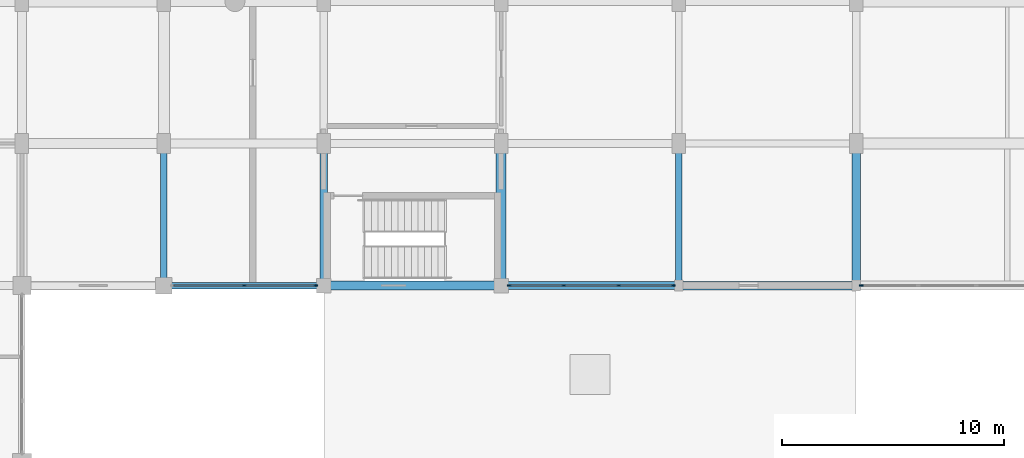
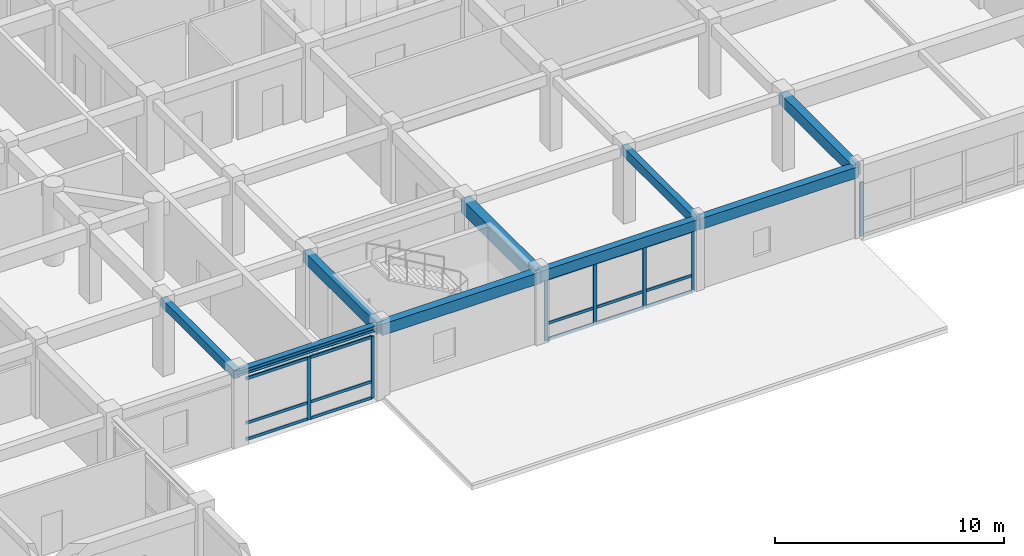
# One storey, part 10 of 35: 22 members, 9 beams, 3 elements without a shape of their own.
"""IFC4 building model written with IfcOpenShell, lengths in metres."""

from ifc_helpers import new_model, si_unit, direction, frame, origin, origin_2d, place, context, subcontext, project, spatial, rectangle, i_section, extrude, material, material_profile, profile_set, type_object, element, aggregate, save


model = new_model("IFC4")

# Units and contexts
model_context = context("Model", 3, precision=1e-05, world=origin(), true_north=direction((0.0, 1.0)))
body_context = subcontext(model_context, "Body", "Model", "MODEL_VIEW")
ifc_project = project(units=[si_unit("LENGTHUNIT", "METRE"), si_unit("AREAUNIT", "SQUARE_METRE"), si_unit("VOLUMEUNIT", "CUBIC_METRE"), si_unit("PLANEANGLEUNIT", "RADIAN"), si_unit("MASSUNIT", "GRAM", prefix="KILO")], contexts=[model_context])

# Site, building, storey
site_placement = place(None, origin())
site = spatial("IfcSite", under=ifc_project, at=site_placement, CompositionType="ELEMENT")
building_placement = place(site_placement, origin())
building = spatial("IfcBuilding", under=site, at=building_placement, Name="Vellmiral Cinema and Media Centre", CompositionType="ELEMENT")
storey_placement = place(building_placement, frame((0.0, 0.0, 15.60009765625)))
storey = spatial("IfcBuildingStorey", under=building, at=storey_placement, Name="L03", CompositionType="ELEMENT", Elevation=15.60009765625)

# Beams
ifc_material_1 = material(Name="Concrete C40/50", Category="concrete")
ifc_material_profile_1 = material_profile(ifc_material_1, rectangle(XDim=0.300048828125, YDim=0.449951171875, at=origin_2d()), Name="RC 300x450")
ifc_profile_set_1 = profile_set([ifc_material_profile_1], Name="Concrete C40/50")
beam_type_1 = type_object("IfcBeamType", Name="BM-RC-300x450", PredefinedType="BEAM", material=ifc_profile_set_1)
beam_1_placement = place(storey_placement, frame((116.800048828125, 59.199951171875, 3.669921875), z_axis=(0.0, 1.0, 0.0), x_axis=(-1.0, 0.0, 0.0)))
element("IfcBeam", 1, at=beam_1_placement, inside=storey, type_object=beam_type_1, Name="Grid Beam L03-Y104", PredefinedType="BEAM", context=body_context, shape_type="SweptSolid", body=[
    extrude(rectangle(XDim=0.300048828125, YDim=0.449951171875, at=origin_2d()), origin(), (0.0, 0.0, 1.0), 6.400146484375),
])
ifc_material_2 = material(Name="Concrete C40/50", Category="concrete")
ifc_material_profile_2 = material_profile(ifc_material_2, rectangle(XDim=0.300048828125, YDim=0.5, at=origin_2d()), Name="RC 300x500")
ifc_profile_set_2 = profile_set([ifc_material_profile_2], Name="Concrete C40/50")
beam_type_2 = type_object("IfcBeamType", Name="BM-RC-300x500", PredefinedType="BEAM", material=ifc_profile_set_2)
beam_2_placement = place(storey_placement, frame((140.0, 59.199951171875, 3.64501953125), z_axis=(0.0, 1.0, 0.0), x_axis=(-1.0, 0.0, 0.0)))
element("IfcBeam", 2, at=beam_2_placement, inside=storey, type_object=beam_type_2, Name="Grid Beam L03-Y125", PredefinedType="BEAM", context=body_context, shape_type="SweptSolid", body=[
    extrude(rectangle(XDim=0.300048828125, YDim=0.5, at=origin_2d()), origin(), (0.0, 0.0, 1.0), 6.400146484375),
])
ifc_material_3 = material(Name="Concrete C40/50", Category="concrete")
ifc_material_profile_3 = material_profile(ifc_material_3, rectangle(XDim=0.35009765625, YDim=0.60009765625, at=origin_2d()), Name="RC 350x600")
ifc_profile_set_3 = profile_set([ifc_material_profile_3], Name="Concrete C40/50")
beam_type_3 = type_object("IfcBeamType", Name="BM-RC-350x600", PredefinedType="BEAM", material=ifc_profile_set_3)
beam_3_placement = place(storey_placement, frame((124.0, 59.199951171875, 3.594970703125), z_axis=(0.0, 1.0, 0.0), x_axis=(-1.0, 0.0, 0.0)))
element("IfcBeam", 3, at=beam_3_placement, inside=storey, type_object=beam_type_3, Name="Grid Beam L03-Y111", PredefinedType="BEAM", context=body_context, shape_type="SweptSolid", body=[
    extrude(rectangle(XDim=0.35009765625, YDim=0.60009765625, at=origin_2d()), origin(), (0.0, 0.0, 1.0), 6.400146484375),
])
ifc_material_4 = material(Name="Concrete C40/50", Category="concrete")
ifc_material_profile_4 = material_profile(ifc_material_4, rectangle(XDim=0.39990234375, YDim=0.60009765625, at=origin_2d()), Name="RC 400x600")
ifc_profile_set_4 = profile_set([ifc_material_profile_4], Name="Concrete C40/50")
beam_type_4 = type_object("IfcBeamType", Name="BM-RC-400x600", PredefinedType="BEAM", material=ifc_profile_set_4)
beam_4_placement = place(storey_placement, frame((148.0, 59.199951171875, 3.594970703125), z_axis=(0.0, 1.0, 0.0), x_axis=(-1.0, 0.0, 0.0)))
element("IfcBeam", 4, at=beam_4_placement, inside=storey, type_object=beam_type_4, Name="Grid Beam L03-Y132", PredefinedType="BEAM", context=body_context, shape_type="SweptSolid", body=[
    extrude(rectangle(XDim=0.39990234375, YDim=0.60009765625, at=origin_2d()), origin(), (0.0, 0.0, 1.0), 6.400146484375),
])
ifc_material_5 = material(Name="Concrete C40/50", Category="concrete")
ifc_material_profile_5 = material_profile(ifc_material_5, rectangle(XDim=0.449951171875, YDim=0.75, at=origin_2d()), Name="RC 450x750")
ifc_profile_set_5 = profile_set([ifc_material_profile_5], Name="Concrete C40/50")
beam_type_5 = type_object("IfcBeamType", Name="BM-RC-450x750", PredefinedType="BEAM", material=ifc_profile_set_5)
beam_5_placement = place(storey_placement, frame((132.0, 59.199951171875, 3.52001953125), z_axis=(0.0, 1.0, 0.0), x_axis=(-1.0, 0.0, 0.0)))
element("IfcBeam", 5, at=beam_5_placement, inside=storey, type_object=beam_type_5, Name="Grid Beam L03-Y118", PredefinedType="BEAM", context=body_context, shape_type="SweptSolid", body=[
    extrude(rectangle(XDim=0.449951171875, YDim=0.75, at=origin_2d()), origin(), (0.0, 0.0, 1.0), 6.400146484375),
])

# Curtain wall, members
ifc_material_6 = material(Name="Thermally Broken Aluminium and Triple Glazing", Category="aluminium")
curtain_wall_type = type_object("IfcCurtainWallType", Name="CW-POD-GALLERY", PredefinedType="USERDEFINED", material=ifc_material_6)
curtain_wall_1_placement = place(storey_placement, origin())
curtain_wall_1 = element("IfcCurtainWall", 6, at=curtain_wall_1_placement, inside=storey, type_object=curtain_wall_type, Name="Curtain Wall L03-B012", ObjectType="STICK CURTAIN WALL", PredefinedType="USERDEFINED")
ifc_material_7 = material(Name="Thermally Broken Anodised Aluminium", Category="aluminium")
ifc_material_profile_6 = material_profile(ifc_material_7, rectangle(XDim=0.070068359375, YDim=0.179931640625, at=origin_2d()), Name="MULL 70x180")
ifc_profile_set_6 = profile_set([ifc_material_profile_6], Name="Thermally Broken Anodised Aluminium")
member_type_1 = type_object("IfcMemberType", Name="CWM-70x180", PredefinedType="MULLION", material=ifc_profile_set_6)
member_1_placement = place(storey_placement, frame((120.425048828125, 59.199951171875, 0.0), z_axis=(0.0, 0.0, 1.0), x_axis=(0.0, 1.0, 0.0)))
member_1 = element("IfcMember", 7, at=member_1_placement, type_object=member_type_1, Name="CW-04 mullion 2", PredefinedType="MULLION", context=body_context, shape_type="SweptSolid", body=[
    extrude(rectangle(XDim=0.070068359375, YDim=0.179931640625, at=origin_2d()), origin(), (0.0, 0.0, 1.0), 3.2998046875),
])
member_2_placement = place(storey_placement, frame((123.639892578125, 59.199951171875, 0.0), z_axis=(0.0, 0.0, 1.0), x_axis=(0.0, 1.0, 0.0)))
member_2 = element("IfcMember", 8, at=member_2_placement, type_object=member_type_1, Name="CW-04 mullion 3", PredefinedType="MULLION", context=body_context, shape_type="SweptSolid", body=[
    extrude(rectangle(XDim=0.070068359375, YDim=0.179931640625, at=origin_2d()), origin(), (0.0, 0.0, 1.0), 3.2998046875),
])

curtain_wall_2_placement = place(storey_placement, origin())
curtain_wall_2 = element("IfcCurtainWall", 9, at=curtain_wall_2_placement, inside=storey, type_object=curtain_wall_type, Name="Curtain Wall L03-B014", ObjectType="STICK CURTAIN WALL", PredefinedType="USERDEFINED")
member_3_placement = place(storey_placement, frame((132.360107421875, 59.199951171875, 0.0), z_axis=(0.0, 0.0, 1.0), x_axis=(0.0, 1.0, 0.0)))
member_3 = element("IfcMember", 10, at=member_3_placement, type_object=member_type_1, Name="CW-04 mullion 1", PredefinedType="MULLION", context=body_context, shape_type="SweptSolid", body=[
    extrude(rectangle(XDim=0.070068359375, YDim=0.179931640625, at=origin_2d()), origin(), (0.0, 0.0, 1.0), 3.2998046875),
])
member_4_placement = place(storey_placement, frame((134.816650390625, 59.199951171875, 0.0), z_axis=(0.0, 0.0, 1.0), x_axis=(0.0, 1.0, 0.0)))
member_4 = element("IfcMember", 11, at=member_4_placement, type_object=member_type_1, Name="CW-04 mullion 2", PredefinedType="MULLION", context=body_context, shape_type="SweptSolid", body=[
    extrude(rectangle(XDim=0.070068359375, YDim=0.179931640625, at=origin_2d()), origin(), (0.0, 0.0, 1.0), 3.2998046875),
])
member_5_placement = place(storey_placement, frame((137.308349609375, 59.199951171875, 0.0), z_axis=(0.0, 0.0, 1.0), x_axis=(0.0, 1.0, 0.0)))
member_5 = element("IfcMember", 12, at=member_5_placement, type_object=member_type_1, Name="CW-04 mullion 3", PredefinedType="MULLION", context=body_context, shape_type="SweptSolid", body=[
    extrude(rectangle(XDim=0.070068359375, YDim=0.179931640625, at=origin_2d()), origin(), (0.0, 0.0, 1.0), 3.2998046875),
])
member_6_placement = place(storey_placement, frame((139.764892578125, 59.199951171875, 0.0), z_axis=(0.0, 0.0, 1.0), x_axis=(0.0, 1.0, 0.0)))
member_6 = element("IfcMember", 13, at=member_6_placement, type_object=member_type_1, Name="CW-04 mullion 4", PredefinedType="MULLION", context=body_context, shape_type="SweptSolid", body=[
    extrude(rectangle(XDim=0.070068359375, YDim=0.179931640625, at=origin_2d()), origin(), (0.0, 0.0, 1.0), 3.2998046875),
])

# Curtain wall, member
curtain_wall_3_placement = place(storey_placement, origin())
curtain_wall_3 = element("IfcCurtainWall", 14, at=curtain_wall_3_placement, inside=storey, type_object=curtain_wall_type, Name="Curtain Wall L03-B016", ObjectType="STICK CURTAIN WALL", PredefinedType="USERDEFINED")
member_7_placement = place(storey_placement, frame((148.235107421875, 59.199951171875, 0.0), z_axis=(0.0, 0.0, 1.0), x_axis=(0.0, 1.0, 0.0)))
member_7 = element("IfcMember", 15, at=member_7_placement, type_object=member_type_1, Name="CW-04 mullion 1", PredefinedType="MULLION", context=body_context, shape_type="SweptSolid", body=[
    extrude(rectangle(XDim=0.070068359375, YDim=0.179931640625, at=origin_2d()), origin(), (0.0, 0.0, 1.0), 2.885009765625),
])
aggregate(curtain_wall_3, [member_7])

# Member
ifc_material_8 = material(Name="Thermally Broken Anodised Aluminium", Category="aluminium")
ifc_material_profile_7 = material_profile(ifc_material_8, rectangle(XDim=0.070068359375, YDim=0.14990234375, at=origin_2d()), Name="MULL 70x150")
ifc_profile_set_7 = profile_set([ifc_material_profile_7], Name="Thermally Broken Anodised Aluminium")
member_type_2 = type_object("IfcMemberType", Name="CWT-70x150", PredefinedType="USERDEFINED", material=ifc_profile_set_7)
member_8_placement = place(storey_placement, frame((117.2451171875, 59.199951171875, 0.034912109375), z_axis=(1.0, 0.0, 0.0), x_axis=(0.0, 1.0, 0.0)))
member_8 = element("IfcMember", 16, at=member_8_placement, type_object=member_type_2, Name="CW-04 transom 1.1", ObjectType="TRANSOM", PredefinedType="USERDEFINED", context=body_context, shape_type="SweptSolid", body=[
    extrude(rectangle(XDim=0.070068359375, YDim=0.14990234375, at=origin_2d()), origin(), (0.0, 0.0, 1.0), 3.144775390625),
])

member_9_placement = place(storey_placement, frame((117.2451171875, 59.199951171875, 0.89990234375), z_axis=(1.0, 0.0, 0.0), x_axis=(0.0, 1.0, 0.0)))
member_9 = element("IfcMember", 17, at=member_9_placement, type_object=member_type_2, Name="CW-04 transom 1.2", ObjectType="TRANSOM", PredefinedType="USERDEFINED", context=body_context, shape_type="SweptSolid", body=[
    extrude(rectangle(XDim=0.070068359375, YDim=0.14990234375, at=origin_2d()), origin(), (0.0, 0.0, 1.0), 3.144775390625),
])

member_10_placement = place(storey_placement, frame((117.2451171875, 59.199951171875, 3.264892578125), z_axis=(1.0, 0.0, 0.0), x_axis=(0.0, 1.0, 0.0)))
member_10 = element("IfcMember", 18, at=member_10_placement, type_object=member_type_2, Name="CW-04 transom 1.3", ObjectType="TRANSOM", PredefinedType="USERDEFINED", context=body_context, shape_type="SweptSolid", body=[
    extrude(rectangle(XDim=0.070068359375, YDim=0.14990234375, at=origin_2d()), origin(), (0.0, 0.0, 1.0), 3.144775390625),
])

member_11_placement = place(storey_placement, frame((120.4599609375, 59.199951171875, 0.034912109375), z_axis=(1.0, 0.0, 0.0), x_axis=(0.0, 1.0, 0.0)))
member_11 = element("IfcMember", 19, at=member_11_placement, type_object=member_type_2, Name="CW-04 transom 2.1", ObjectType="TRANSOM", PredefinedType="USERDEFINED", context=body_context, shape_type="SweptSolid", body=[
    extrude(rectangle(XDim=0.070068359375, YDim=0.14990234375, at=origin_2d()), origin(), (0.0, 0.0, 1.0), 3.14501953125),
])

member_12_placement = place(storey_placement, frame((120.4599609375, 59.199951171875, 0.89990234375), z_axis=(1.0, 0.0, 0.0), x_axis=(0.0, 1.0, 0.0)))
member_12 = element("IfcMember", 20, at=member_12_placement, type_object=member_type_2, Name="CW-04 transom 2.2", ObjectType="TRANSOM", PredefinedType="USERDEFINED", context=body_context, shape_type="SweptSolid", body=[
    extrude(rectangle(XDim=0.070068359375, YDim=0.14990234375, at=origin_2d()), origin(), (0.0, 0.0, 1.0), 3.14501953125),
])

member_13_placement = place(storey_placement, frame((120.4599609375, 59.199951171875, 3.264892578125), z_axis=(1.0, 0.0, 0.0), x_axis=(0.0, 1.0, 0.0)))
member_13 = element("IfcMember", 21, at=member_13_placement, type_object=member_type_2, Name="CW-04 transom 2.3", ObjectType="TRANSOM", PredefinedType="USERDEFINED", context=body_context, shape_type="SweptSolid", body=[
    extrude(rectangle(XDim=0.070068359375, YDim=0.14990234375, at=origin_2d()), origin(), (0.0, 0.0, 1.0), 3.14501953125),
])

aggregate(curtain_wall_1, [member_1, member_2, member_8, member_9, member_10, member_11, member_12, member_13])

member_14_placement = place(storey_placement, frame((132.39501953125, 59.199951171875, 0.034912109375), z_axis=(1.0, 0.0, 0.0), x_axis=(0.0, 1.0, 0.0)))
member_14 = element("IfcMember", 22, at=member_14_placement, type_object=member_type_2, Name="CW-04 transom 1.1", ObjectType="TRANSOM", PredefinedType="USERDEFINED", context=body_context, shape_type="SweptSolid", body=[
    extrude(rectangle(XDim=0.070068359375, YDim=0.14990234375, at=origin_2d()), origin(), (0.0, 0.0, 1.0), 2.38671875),
])

member_15_placement = place(storey_placement, frame((132.39501953125, 59.199951171875, 0.89990234375), z_axis=(1.0, 0.0, 0.0), x_axis=(0.0, 1.0, 0.0)))
member_15 = element("IfcMember", 23, at=member_15_placement, type_object=member_type_2, Name="CW-04 transom 1.2", ObjectType="TRANSOM", PredefinedType="USERDEFINED", context=body_context, shape_type="SweptSolid", body=[
    extrude(rectangle(XDim=0.070068359375, YDim=0.14990234375, at=origin_2d()), origin(), (0.0, 0.0, 1.0), 2.38671875),
])

member_16_placement = place(storey_placement, frame((132.39501953125, 59.199951171875, 3.264892578125), z_axis=(1.0, 0.0, 0.0), x_axis=(0.0, 1.0, 0.0)))
member_16 = element("IfcMember", 24, at=member_16_placement, type_object=member_type_2, Name="CW-04 transom 1.3", ObjectType="TRANSOM", PredefinedType="USERDEFINED", context=body_context, shape_type="SweptSolid", body=[
    extrude(rectangle(XDim=0.070068359375, YDim=0.14990234375, at=origin_2d()), origin(), (0.0, 0.0, 1.0), 2.38671875),
])

member_17_placement = place(storey_placement, frame((134.8515625, 59.199951171875, 0.034912109375), z_axis=(1.0, 0.0, 0.0), x_axis=(0.0, 1.0, 0.0)))
member_17 = element("IfcMember", 25, at=member_17_placement, type_object=member_type_2, Name="CW-04 transom 2.1", ObjectType="TRANSOM", PredefinedType="USERDEFINED", context=body_context, shape_type="SweptSolid", body=[
    extrude(rectangle(XDim=0.070068359375, YDim=0.14990234375, at=origin_2d()), origin(), (0.0, 0.0, 1.0), 2.421875),
])

member_18_placement = place(storey_placement, frame((134.8515625, 59.199951171875, 0.89990234375), z_axis=(1.0, 0.0, 0.0), x_axis=(0.0, 1.0, 0.0)))
member_18 = element("IfcMember", 26, at=member_18_placement, type_object=member_type_2, Name="CW-04 transom 2.2", ObjectType="TRANSOM", PredefinedType="USERDEFINED", context=body_context, shape_type="SweptSolid", body=[
    extrude(rectangle(XDim=0.070068359375, YDim=0.14990234375, at=origin_2d()), origin(), (0.0, 0.0, 1.0), 2.421875),
])

member_19_placement = place(storey_placement, frame((134.8515625, 59.199951171875, 3.264892578125), z_axis=(1.0, 0.0, 0.0), x_axis=(0.0, 1.0, 0.0)))
member_19 = element("IfcMember", 27, at=member_19_placement, type_object=member_type_2, Name="CW-04 transom 2.3", ObjectType="TRANSOM", PredefinedType="USERDEFINED", context=body_context, shape_type="SweptSolid", body=[
    extrude(rectangle(XDim=0.070068359375, YDim=0.14990234375, at=origin_2d()), origin(), (0.0, 0.0, 1.0), 2.421875),
])

member_20_placement = place(storey_placement, frame((137.34326171875, 59.199951171875, 0.034912109375), z_axis=(1.0, 0.0, 0.0), x_axis=(0.0, 1.0, 0.0)))
member_20 = element("IfcMember", 28, at=member_20_placement, type_object=member_type_2, Name="CW-04 transom 3.1", ObjectType="TRANSOM", PredefinedType="USERDEFINED", context=body_context, shape_type="SweptSolid", body=[
    extrude(rectangle(XDim=0.070068359375, YDim=0.14990234375, at=origin_2d()), origin(), (0.0, 0.0, 1.0), 2.38671875),
])

member_21_placement = place(storey_placement, frame((137.34326171875, 59.199951171875, 0.89990234375), z_axis=(1.0, 0.0, 0.0), x_axis=(0.0, 1.0, 0.0)))
member_21 = element("IfcMember", 29, at=member_21_placement, type_object=member_type_2, Name="CW-04 transom 3.2", ObjectType="TRANSOM", PredefinedType="USERDEFINED", context=body_context, shape_type="SweptSolid", body=[
    extrude(rectangle(XDim=0.070068359375, YDim=0.14990234375, at=origin_2d()), origin(), (0.0, 0.0, 1.0), 2.38671875),
])

member_22_placement = place(storey_placement, frame((137.34326171875, 59.199951171875, 3.264892578125), z_axis=(1.0, 0.0, 0.0), x_axis=(0.0, 1.0, 0.0)))
member_22 = element("IfcMember", 30, at=member_22_placement, type_object=member_type_2, Name="CW-04 transom 3.3", ObjectType="TRANSOM", PredefinedType="USERDEFINED", context=body_context, shape_type="SweptSolid", body=[
    extrude(rectangle(XDim=0.070068359375, YDim=0.14990234375, at=origin_2d()), origin(), (0.0, 0.0, 1.0), 2.38671875),
])

aggregate(curtain_wall_2, [member_3, member_4, member_5, member_6, member_14, member_15, member_16, member_17, member_18, member_19, member_20, member_21, member_22])

# Beams
ifc_material_9 = material(Name="Steel S355", Category="steel")
ifc_material_profile_8 = material_profile(ifc_material_9, i_section(OverallWidth=0.300048828125, OverallDepth=0.300048828125, WebThickness=0.010986328125, FlangeThickness=0.01904296875, FilletRadius=0.027099609375, at=origin_2d()), Name="HEB 300")
ifc_profile_set_8 = profile_set([ifc_material_profile_8], Name="Steel S355")
beam_type_6 = type_object("IfcBeamType", Name="SBM-HEB300", PredefinedType="SPANDREL", material=ifc_profile_set_8)
beam_6_placement = place(storey_placement, frame((116.800048828125, 59.199951171875, 3.744873046875), z_axis=(1.0, 0.0, 0.0), x_axis=(0.0, 1.0, 0.0)))
element("IfcBeam", 31, at=beam_6_placement, inside=storey, type_object=beam_type_6, Name="Grid Beam L03-X011", PredefinedType="SPANDREL", context=body_context, shape_type="SweptSolid", body=[
    extrude(i_section(OverallWidth=0.300048828125, OverallDepth=0.300048828125, WebThickness=0.010986328125, FlangeThickness=0.01904296875, FilletRadius=0.027099609375, at=origin_2d()), origin(), (0.0, 0.0, 1.0), 7.199951171875),
])
ifc_material_10 = material(Name="Concrete C40/50", Category="concrete")
ifc_material_profile_9 = material_profile(ifc_material_10, rectangle(XDim=0.35009765625, YDim=0.56005859375, at=origin_2d()), Name="RC 350x560")
ifc_profile_set_9 = profile_set([ifc_material_profile_9], Name="Concrete C40/50")
beam_type_7 = type_object("IfcBeamType", Name="SPD-RC-350x560", PredefinedType="SPANDREL", material=ifc_profile_set_9)
beam_7_placement = place(storey_placement, frame((132.0, 59.199951171875, 3.614990234375), z_axis=(1.0, 0.0, 0.0), x_axis=(0.0, 1.0, 0.0)))
element("IfcBeam", 32, at=beam_7_placement, inside=storey, type_object=beam_type_7, Name="Grid Beam L03-X013", PredefinedType="SPANDREL", context=body_context, shape_type="SweptSolid", body=[
    extrude(rectangle(XDim=0.35009765625, YDim=0.56005859375, at=origin_2d()), origin(), (0.0, 0.0, 1.0), 8.0),
])
ifc_material_11 = material(Name="Concrete C40/50", Category="concrete")
ifc_material_profile_10 = material_profile(ifc_material_11, rectangle(XDim=0.39990234375, YDim=0.60009765625, at=origin_2d()), Name="RC 400x600")
ifc_profile_set_10 = profile_set([ifc_material_profile_10], Name="Concrete C40/50")
beam_type_8 = type_object("IfcBeamType", Name="SPD-RC-400x600", PredefinedType="SPANDREL", material=ifc_profile_set_10)
beam_8_placement = place(storey_placement, frame((124.0, 59.199951171875, 3.594970703125), z_axis=(1.0, 0.0, 0.0), x_axis=(0.0, 1.0, 0.0)))
element("IfcBeam", 33, at=beam_8_placement, inside=storey, type_object=beam_type_8, Name="Grid Beam L03-X012", PredefinedType="SPANDREL", context=body_context, shape_type="SweptSolid", body=[
    extrude(rectangle(XDim=0.39990234375, YDim=0.60009765625, at=origin_2d()), origin(), (0.0, 0.0, 1.0), 8.0),
])
ifc_material_12 = material(Name="Vosges Red Sandstone Masonry", Category="masonry")
ifc_material_profile_11 = material_profile(ifc_material_12, rectangle(XDim=0.3798828125, YDim=0.580078125, at=origin_2d()), Name="SAND 380x580")
ifc_profile_set_11 = profile_set([ifc_material_profile_11], Name="Vosges Red Sandstone Masonry")
beam_type_9 = type_object("IfcBeamType", Name="SPD-SAND-380x580", PredefinedType="SPANDREL", material=ifc_profile_set_11)
beam_9_placement = place(storey_placement, frame((140.0, 59.199951171875, 3.60498046875), z_axis=(1.0, 0.0, 0.0), x_axis=(0.0, 1.0, 0.0)))
element("IfcBeam", 34, at=beam_9_placement, inside=storey, type_object=beam_type_9, Name="Grid Beam L03-X014", PredefinedType="SPANDREL", context=body_context, shape_type="SweptSolid", body=[
    extrude(rectangle(XDim=0.3798828125, YDim=0.580078125, at=origin_2d()), origin(), (0.0, 0.0, 1.0), 8.0),
])

save(model, "model.ifc")
